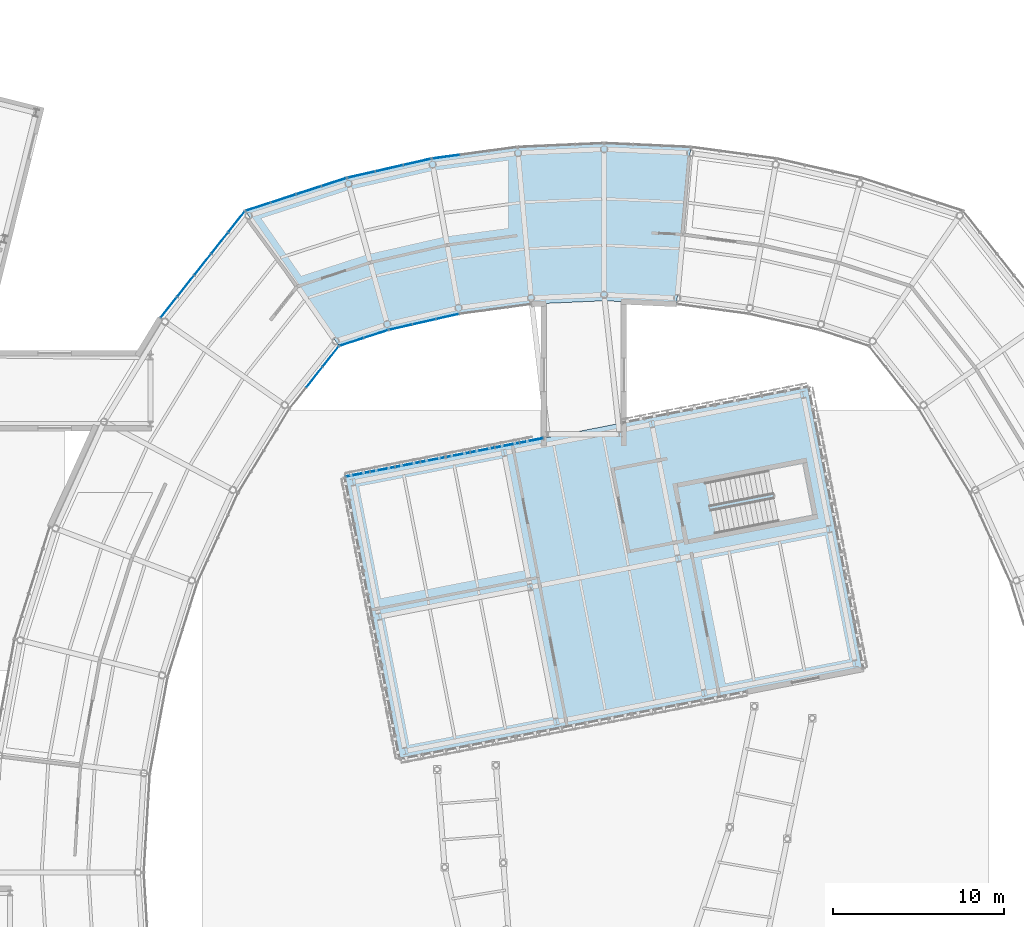
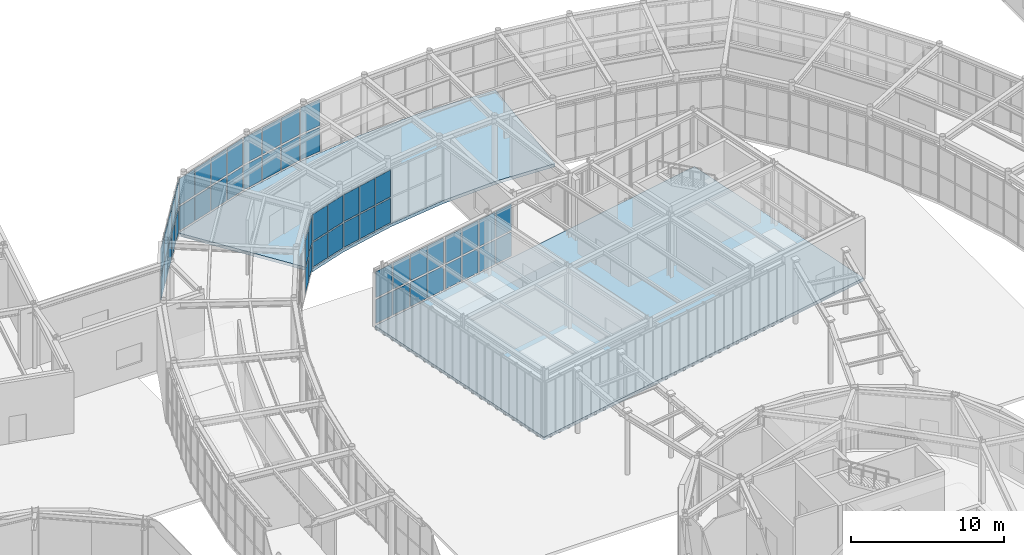
# One storey, part 63 of 97: 56 plates, 2 slabs, 9 elements without a shape of their own.
"""IFC4 building model written with IfcOpenShell, lengths in metres."""

from ifc_helpers import new_model, si_unit, direction, frame, origin, origin_2d, place, context, subcontext, project, spatial, polyline, rectangle, outline, extrude, material, layer, layer_set, type_object, element, aggregate, save


model = new_model("IFC4")

# Units and contexts
model_context = context("Model", 3, precision=1e-05, world=origin(), true_north=direction((0.0, 1.0)))
body_context = subcontext(model_context, "Body", "Model", "MODEL_VIEW")
ifc_project = project(units=[si_unit("LENGTHUNIT", "METRE"), si_unit("AREAUNIT", "SQUARE_METRE"), si_unit("VOLUMEUNIT", "CUBIC_METRE"), si_unit("PLANEANGLEUNIT", "RADIAN"), si_unit("MASSUNIT", "GRAM", prefix="KILO")], contexts=[model_context])

# Site, building, storey
site_placement = place(None, origin())
site = spatial("IfcSite", under=ifc_project, at=site_placement, CompositionType="ELEMENT")
building_placement = place(site_placement, origin())
building = spatial("IfcBuilding", under=site, at=building_placement, Name="Varnklinge Art Gallery", CompositionType="ELEMENT")
storey_placement = place(building_placement, origin())
storey = spatial("IfcBuildingStorey", under=building, at=storey_placement, Name="L00", CompositionType="ELEMENT", Elevation=0.0)

# Curtain wall, plates
ifc_material_1 = material(Name="Anodised Aluminium", Category="aluminium")
curtain_wall_type_1 = type_object("IfcCurtainWallType", Name="CW-R03", PredefinedType="USERDEFINED", material=ifc_material_1)
curtain_wall_1_placement = place(storey_placement, origin())
curtain_wall_1 = element("IfcCurtainWall", 1, at=curtain_wall_1_placement, inside=storey, type_object=curtain_wall_type_1, Name="L00 Curtain Wall CW-V2I-L00-19", ObjectType="UNITISED CURTAIN WALL", PredefinedType="USERDEFINED")
ifc_material_2 = material(Name="Insulated Low-E Triple Glazing", Category="glass")
ifc_layer_1 = layer(ifc_material_2, 0.031982421875)
ifc_layer_set_1 = layer_set([ifc_layer_1], Name="Insulated Low-E Triple Glazing")
plate_type_1 = type_object("IfcPlateType", Name="GLZ-32", PredefinedType="CURTAIN_PANEL", material=ifc_layer_set_1)
plate_1_placement = place(storey_placement, frame((63.62548828125, 86.856201171875, 0.1181640625), z_axis=(0.0, 0.0, 1.0), x_axis=(0.975071959883, 0.221888875454, 0.0)))
plate_1 = element("IfcPlate", 2, at=plate_1_placement, type_object=plate_type_1, Name="CW-V2I-L00-19 Glazing Panel 1.1", PredefinedType="CURTAIN_PANEL", context=body_context, shape_type="SweptSolid", body=[
    extrude(rectangle(XDim=1.328125, YDim=0.031982421875, at=origin_2d()), origin(), (0.0, 0.0, 1.0), 1.950439453125),
])
plate_2_placement = place(storey_placement, frame((63.62548828125, 86.856201171875, 2.1845703125), z_axis=(0.0, 0.0, 1.0), x_axis=(0.975071959883, 0.221888875454, 0.0)))
plate_2 = element("IfcPlate", 3, at=plate_2_placement, type_object=plate_type_1, Name="CW-V2I-L00-19 Glazing Panel 1.2", PredefinedType="CURTAIN_PANEL", context=body_context, shape_type="SweptSolid", body=[
    extrude(rectangle(XDim=1.328125, YDim=0.031982421875, at=origin_2d()), origin(), (0.0, 0.0, 1.0), 2.127685546875),
])
plate_3_placement = place(storey_placement, frame((64.989501953125, 87.16650390625, 0.1181640625), z_axis=(0.0, 0.0, 1.0), x_axis=(0.975071959883, 0.221888875454, 0.0)))
plate_3 = element("IfcPlate", 4, at=plate_3_placement, type_object=plate_type_1, Name="CW-V2I-L00-19 Glazing Panel 2.1", PredefinedType="CURTAIN_PANEL", context=body_context, shape_type="SweptSolid", body=[
    extrude(rectangle(XDim=1.358154296875, YDim=0.031982421875, at=origin_2d()), origin(), (0.0, 0.0, 1.0), 1.950439453125),
])
plate_4_placement = place(storey_placement, frame((64.989501953125, 87.16650390625, 2.1845703125), z_axis=(0.0, 0.0, 1.0), x_axis=(0.975071959883, 0.221888875454, 0.0)))
plate_4 = element("IfcPlate", 5, at=plate_4_placement, type_object=plate_type_1, Name="CW-V2I-L00-19 Glazing Panel 2.2", PredefinedType="CURTAIN_PANEL", context=body_context, shape_type="SweptSolid", body=[
    extrude(rectangle(XDim=1.358154296875, YDim=0.031982421875, at=origin_2d()), origin(), (0.0, 0.0, 1.0), 2.127685546875),
])
plate_5_placement = place(storey_placement, frame((66.35400390625, 87.47705078125, 0.1181640625), z_axis=(0.0, 0.0, 1.0), x_axis=(0.975071959883, 0.221888875454, 0.0)))
plate_5 = element("IfcPlate", 6, at=plate_5_placement, type_object=plate_type_1, Name="CW-V2I-L00-19 Glazing Panel 3.1", PredefinedType="CURTAIN_PANEL", context=body_context, shape_type="SweptSolid", body=[
    extrude(rectangle(XDim=1.328125, YDim=0.031982421875, at=origin_2d()), origin(), (0.0, 0.0, 1.0), 1.950439453125),
])
plate_6_placement = place(storey_placement, frame((66.35400390625, 87.47705078125, 2.1845703125), z_axis=(0.0, 0.0, 1.0), x_axis=(0.975071959883, 0.221888875454, 0.0)))
plate_6 = element("IfcPlate", 7, at=plate_6_placement, type_object=plate_type_1, Name="CW-V2I-L00-19 Glazing Panel 3.2", PredefinedType="CURTAIN_PANEL", context=body_context, shape_type="SweptSolid", body=[
    extrude(rectangle(XDim=1.328125, YDim=0.031982421875, at=origin_2d()), origin(), (0.0, 0.0, 1.0), 2.127685546875),
])
aggregate(curtain_wall_1, [plate_1, plate_2, plate_3, plate_4, plate_5, plate_6])

curtain_wall_2_placement = place(storey_placement, origin())
curtain_wall_2 = element("IfcCurtainWall", 8, at=curtain_wall_2_placement, inside=storey, type_object=curtain_wall_type_1, Name="L00 Curtain Wall CW-V2I-L00-20", ObjectType="UNITISED CURTAIN WALL", PredefinedType="USERDEFINED")
plate_7_placement = place(storey_placement, frame((60.755126953125, 85.993896484375, 0.1181640625), z_axis=(0.0, 0.0, 1.0), x_axis=(0.951272019071, 0.30835295642, 0.0)))
plate_7 = element("IfcPlate", 9, at=plate_7_placement, type_object=plate_type_1, Name="CW-V2I-L00-20 Glazing Panel 1.1", PredefinedType="CURTAIN_PANEL", context=body_context, shape_type="SweptSolid", body=[
    extrude(rectangle(XDim=1.442138671875, YDim=0.031982421875, at=origin_2d()), origin(), (0.0, 0.0, 1.0), 1.950439453125),
])
plate_8_placement = place(storey_placement, frame((60.755126953125, 85.993896484375, 2.1845703125), z_axis=(0.0, 0.0, 1.0), x_axis=(0.951272019071, 0.30835295642, 0.0)))
plate_8 = element("IfcPlate", 10, at=plate_8_placement, type_object=plate_type_1, Name="CW-V2I-L00-20 Glazing Panel 1.2", PredefinedType="CURTAIN_PANEL", context=body_context, shape_type="SweptSolid", body=[
    extrude(rectangle(XDim=1.442138671875, YDim=0.031982421875, at=origin_2d()), origin(), (0.0, 0.0, 1.0), 2.127685546875),
])
plate_9_placement = place(storey_placement, frame((62.180419921875, 86.45556640625, 0.1181640625), z_axis=(0.0, 0.0, 1.0), x_axis=(0.951272019071, 0.30835295642, 0.0)))
plate_9 = element("IfcPlate", 11, at=plate_9_placement, type_object=plate_type_1, Name="CW-V2I-L00-20 Glazing Panel 2.1", PredefinedType="CURTAIN_PANEL", context=body_context, shape_type="SweptSolid", body=[
    extrude(rectangle(XDim=1.442138671875, YDim=0.031982421875, at=origin_2d()), origin(), (0.0, 0.0, 1.0), 1.950439453125),
])
plate_10_placement = place(storey_placement, frame((62.180419921875, 86.45556640625, 2.1845703125), z_axis=(0.0, 0.0, 1.0), x_axis=(0.951272019071, 0.30835295642, 0.0)))
plate_10 = element("IfcPlate", 12, at=plate_10_placement, type_object=plate_type_1, Name="CW-V2I-L00-20 Glazing Panel 2.2", PredefinedType="CURTAIN_PANEL", context=body_context, shape_type="SweptSolid", body=[
    extrude(rectangle(XDim=1.442138671875, YDim=0.031982421875, at=origin_2d()), origin(), (0.0, 0.0, 1.0), 2.127685546875),
])
aggregate(curtain_wall_2, [plate_7, plate_8, plate_9, plate_10])

curtain_wall_3_placement = place(storey_placement, origin())
curtain_wall_3 = element("IfcCurtainWall", 13, at=curtain_wall_3_placement, inside=storey, type_object=curtain_wall_type_1, Name="L00 Curtain Wall CW-V2I-L00-21", ObjectType="UNITISED CURTAIN WALL", PredefinedType="USERDEFINED")
plate_11_placement = place(storey_placement, frame((58.569091796875, 83.9287109375, 0.1181640625), z_axis=(0.0, 0.0, 1.0), x_axis=(0.620737354217, 0.784018582101, 0.0)))
plate_11 = element("IfcPlate", 14, at=plate_11_placement, type_object=plate_type_1, Name="CW-V2I-L00-21 Glazing Panel 2.1", PredefinedType="CURTAIN_PANEL", context=body_context, shape_type="SweptSolid", body=[
    extrude(rectangle(XDim=1.495849609375, YDim=0.031982421875, at=origin_2d()), origin(), (0.0, 0.0, 1.0), 1.950439453125),
])
plate_12_placement = place(storey_placement, frame((58.569091796875, 83.9287109375, 2.1845703125), z_axis=(0.0, 0.0, 1.0), x_axis=(0.620737354217, 0.784018582101, 0.0)))
plate_12 = element("IfcPlate", 15, at=plate_12_placement, type_object=plate_type_1, Name="CW-V2I-L00-21 Glazing Panel 2.2", PredefinedType="CURTAIN_PANEL", context=body_context, shape_type="SweptSolid", body=[
    extrude(rectangle(XDim=1.495849609375, YDim=0.031982421875, at=origin_2d()), origin(), (0.0, 0.0, 1.0), 2.127685546875),
])
plate_13_placement = place(storey_placement, frame((59.52294921875, 85.133544921875, 0.1181640625), z_axis=(0.0, 0.0, 1.0), x_axis=(0.620737354217, 0.784018582101, 0.0)))
plate_13 = element("IfcPlate", 16, at=plate_13_placement, type_object=plate_type_1, Name="CW-V2I-L00-21 Glazing Panel 3.1", PredefinedType="CURTAIN_PANEL", context=body_context, shape_type="SweptSolid", body=[
    extrude(rectangle(XDim=1.4658203125, YDim=0.031982421875, at=origin_2d()), origin(), (0.0, 0.0, 1.0), 1.950439453125),
])
plate_14_placement = place(storey_placement, frame((59.52294921875, 85.133544921875, 2.1845703125), z_axis=(0.0, 0.0, 1.0), x_axis=(0.620737354217, 0.784018582101, 0.0)))
plate_14 = element("IfcPlate", 17, at=plate_14_placement, type_object=plate_type_1, Name="CW-V2I-L00-21 Glazing Panel 3.2", PredefinedType="CURTAIN_PANEL", context=body_context, shape_type="SweptSolid", body=[
    extrude(rectangle(XDim=1.4658203125, YDim=0.031982421875, at=origin_2d()), origin(), (0.0, 0.0, 1.0), 2.127685546875),
])
aggregate(curtain_wall_3, [plate_11, plate_12, plate_13, plate_14])

curtain_wall_4_placement = place(storey_placement, origin())
curtain_wall_4 = element("IfcCurtainWall", 18, at=curtain_wall_4_placement, inside=storey, type_object=curtain_wall_type_1, Name="L00 Curtain Wall CW-V2O-L00-18", ObjectType="UNITISED CURTAIN WALL", PredefinedType="USERDEFINED")
ifc_material_3 = material(Name="Insulated Low-E Triple Glazing", Category="glass")
ifc_layer_2 = layer(ifc_material_3, 0.0380859375)
ifc_layer_set_2 = layer_set([ifc_layer_2], Name="Insulated Low-E Triple Glazing")
plate_type_2 = type_object("IfcPlateType", Name="GLZ-38", PredefinedType="CURTAIN_PANEL", material=ifc_layer_set_2)
plate_15_placement = place(storey_placement, frame((66.2705078125, 96.814697265625, 0.14794921875), z_axis=(0.0, 0.0, 1.0), x_axis=(-0.990983199715, -0.133986185418, 0.0)))
plate_15 = element("IfcPlate", 19, at=plate_15_placement, type_object=plate_type_2, Name="CW-V2O-L00-18 Glazing Panel 3.1", PredefinedType="CURTAIN_PANEL", context=body_context, shape_type="SweptSolid", body=[
    extrude(rectangle(XDim=1.59521484375, YDim=0.0380859375, at=origin_2d()), origin(), (0.0, 0.0, 1.0), 1.905517578125),
])
plate_16_placement = place(storey_placement, frame((66.2705078125, 96.814697265625, 2.199462890625), z_axis=(0.0, 0.0, 1.0), x_axis=(-0.990983199715, -0.133986185418, 0.0)))
plate_16 = element("IfcPlate", 20, at=plate_16_placement, type_object=plate_type_2, Name="CW-V2O-L00-18 Glazing Panel 3.2", PredefinedType="CURTAIN_PANEL", context=body_context, shape_type="SweptSolid", body=[
    extrude(rectangle(XDim=1.59521484375, YDim=0.0380859375, at=origin_2d()), origin(), (0.0, 0.0, 1.0), 2.08251953125),
])
aggregate(curtain_wall_4, [plate_15, plate_16])

curtain_wall_5_placement = place(storey_placement, origin())
curtain_wall_5 = element("IfcCurtainWall", 21, at=curtain_wall_5_placement, inside=storey, type_object=curtain_wall_type_1, Name="L00 Curtain Wall CW-V2O-L00-19", ObjectType="UNITISED CURTAIN WALL", PredefinedType="USERDEFINED")
plate_17_placement = place(storey_placement, frame((64.578369140625, 96.50830078125, 0.14794921875), z_axis=(0.0, 0.0, 1.0), x_axis=(-0.975071959883, -0.221888875454, 0.0)))
plate_17 = element("IfcPlate", 22, at=plate_17_placement, type_object=plate_type_2, Name="CW-V2O-L00-19 Glazing Panel 1.1", PredefinedType="CURTAIN_PANEL", context=body_context, shape_type="SweptSolid", body=[
    extrude(rectangle(XDim=1.59521484375, YDim=0.0380859375, at=origin_2d()), origin(), (0.0, 0.0, 1.0), 1.905517578125),
])
plate_18_placement = place(storey_placement, frame((64.578369140625, 96.50830078125, 2.199462890625), z_axis=(0.0, 0.0, 1.0), x_axis=(-0.975071959883, -0.221888875454, 0.0)))
plate_18 = element("IfcPlate", 23, at=plate_18_placement, type_object=plate_type_2, Name="CW-V2O-L00-19 Glazing Panel 1.2", PredefinedType="CURTAIN_PANEL", context=body_context, shape_type="SweptSolid", body=[
    extrude(rectangle(XDim=1.59521484375, YDim=0.0380859375, at=origin_2d()), origin(), (0.0, 0.0, 1.0), 2.08251953125),
])
plate_19_placement = place(storey_placement, frame((62.947509765625, 96.13720703125, 0.14794921875), z_axis=(0.0, 0.0, 1.0), x_axis=(-0.975071959883, -0.221888875454, 0.0)))
plate_19 = element("IfcPlate", 24, at=plate_19_placement, type_object=plate_type_2, Name="CW-V2O-L00-19 Glazing Panel 2.1", PredefinedType="CURTAIN_PANEL", context=body_context, shape_type="SweptSolid", body=[
    extrude(rectangle(XDim=1.627685546875, YDim=0.0380859375, at=origin_2d()), origin(), (0.0, 0.0, 1.0), 1.905517578125),
])
plate_20_placement = place(storey_placement, frame((62.947509765625, 96.13720703125, 2.199462890625), z_axis=(0.0, 0.0, 1.0), x_axis=(-0.975071959883, -0.221888875454, 0.0)))
plate_20 = element("IfcPlate", 25, at=plate_20_placement, type_object=plate_type_2, Name="CW-V2O-L00-19 Glazing Panel 2.2", PredefinedType="CURTAIN_PANEL", context=body_context, shape_type="SweptSolid", body=[
    extrude(rectangle(XDim=1.627685546875, YDim=0.0380859375, at=origin_2d()), origin(), (0.0, 0.0, 1.0), 2.08251953125),
])
plate_21_placement = place(storey_placement, frame((61.316650390625, 95.765869140625, 0.14794921875), z_axis=(0.0, 0.0, 1.0), x_axis=(-0.975071959883, -0.221888875454, 0.0)))
plate_21 = element("IfcPlate", 26, at=plate_21_placement, type_object=plate_type_2, Name="CW-V2O-L00-19 Glazing Panel 3.1", PredefinedType="CURTAIN_PANEL", context=body_context, shape_type="SweptSolid", body=[
    extrude(rectangle(XDim=1.59521484375, YDim=0.0380859375, at=origin_2d()), origin(), (0.0, 0.0, 1.0), 1.905517578125),
])
plate_22_placement = place(storey_placement, frame((61.316650390625, 95.765869140625, 2.199462890625), z_axis=(0.0, 0.0, 1.0), x_axis=(-0.975071959883, -0.221888875454, 0.0)))
plate_22 = element("IfcPlate", 27, at=plate_22_placement, type_object=plate_type_2, Name="CW-V2O-L00-19 Glazing Panel 3.2", PredefinedType="CURTAIN_PANEL", context=body_context, shape_type="SweptSolid", body=[
    extrude(rectangle(XDim=1.59521484375, YDim=0.0380859375, at=origin_2d()), origin(), (0.0, 0.0, 1.0), 2.08251953125),
])
aggregate(curtain_wall_5, [plate_17, plate_18, plate_19, plate_20, plate_21, plate_22])

ifc_material_4 = material(Name="Anodised Aluminium", Category="aluminium")
curtain_wall_type_2 = type_object("IfcCurtainWallType", Name="CW-R01", PredefinedType="USERDEFINED", material=ifc_material_4)
curtain_wall_6_placement = place(storey_placement, origin())
curtain_wall_6 = element("IfcCurtainWall", 28, at=curtain_wall_6_placement, inside=storey, type_object=curtain_wall_type_2, Name="L00 Curtain Wall CW-V2O-L00-20", ObjectType="UNITISED CURTAIN WALL", PredefinedType="USERDEFINED")
plate_23_placement = place(storey_placement, frame((59.718505859375, 95.328857421875, 0.14794921875), z_axis=(0.0, 0.0, 1.0), x_axis=(-0.951272019071, -0.30835295642, 0.0)))
plate_23 = element("IfcPlate", 29, at=plate_23_placement, type_object=plate_type_2, Name="CW-V2O-L00-20 Glazing Panel 1.1", PredefinedType="CURTAIN_PANEL", context=body_context, shape_type="SweptSolid", body=[
    extrude(rectangle(XDim=1.469482421875, YDim=0.0380859375, at=origin_2d()), origin(), (0.0, 0.0, 1.0), 1.905517578125),
])
plate_24_placement = place(storey_placement, frame((59.718505859375, 95.328857421875, 2.199462890625), z_axis=(0.0, 0.0, 1.0), x_axis=(-0.951272019071, -0.30835295642, 0.0)))
plate_24 = element("IfcPlate", 30, at=plate_24_placement, type_object=plate_type_2, Name="CW-V2O-L00-20 Glazing Panel 1.2", PredefinedType="CURTAIN_PANEL", context=body_context, shape_type="SweptSolid", body=[
    extrude(rectangle(XDim=1.469482421875, YDim=0.0380859375, at=origin_2d()), origin(), (0.0, 0.0, 1.0), 2.08251953125),
])
plate_25_placement = place(storey_placement, frame((58.246826171875, 94.85205078125, 0.14794921875), z_axis=(0.0, 0.0, 1.0), x_axis=(-0.951272019071, -0.30835295642, 0.0)))
plate_25 = element("IfcPlate", 31, at=plate_25_placement, type_object=plate_type_2, Name="CW-V2O-L00-20 Glazing Panel 2.1", PredefinedType="CURTAIN_PANEL", context=body_context, shape_type="SweptSolid", body=[
    extrude(rectangle(XDim=1.502197265625, YDim=0.0380859375, at=origin_2d()), origin(), (0.0, 0.0, 1.0), 1.905517578125),
])
plate_26_placement = place(storey_placement, frame((58.246826171875, 94.85205078125, 2.199462890625), z_axis=(0.0, 0.0, 1.0), x_axis=(-0.951272019071, -0.30835295642, 0.0)))
plate_26 = element("IfcPlate", 32, at=plate_26_placement, type_object=plate_type_2, Name="CW-V2O-L00-20 Glazing Panel 2.2", PredefinedType="CURTAIN_PANEL", context=body_context, shape_type="SweptSolid", body=[
    extrude(rectangle(XDim=1.502197265625, YDim=0.0380859375, at=origin_2d()), origin(), (0.0, 0.0, 1.0), 2.08251953125),
])
plate_27_placement = place(storey_placement, frame((56.760009765625, 94.3701171875, 0.14794921875), z_axis=(0.0, 0.0, 1.0), x_axis=(-0.951272019071, -0.30835295642, 0.0)))
plate_27 = element("IfcPlate", 33, at=plate_27_placement, type_object=plate_type_2, Name="CW-V2O-L00-20 Glazing Panel 3.1", PredefinedType="CURTAIN_PANEL", context=body_context, shape_type="SweptSolid", body=[
    extrude(rectangle(XDim=1.502197265625, YDim=0.0380859375, at=origin_2d()), origin(), (0.0, 0.0, 1.0), 1.905517578125),
])
plate_28_placement = place(storey_placement, frame((56.760009765625, 94.3701171875, 2.199462890625), z_axis=(0.0, 0.0, 1.0), x_axis=(-0.951272019071, -0.30835295642, 0.0)))
plate_28 = element("IfcPlate", 34, at=plate_28_placement, type_object=plate_type_2, Name="CW-V2O-L00-20 Glazing Panel 3.2", PredefinedType="CURTAIN_PANEL", context=body_context, shape_type="SweptSolid", body=[
    extrude(rectangle(XDim=1.502197265625, YDim=0.0380859375, at=origin_2d()), origin(), (0.0, 0.0, 1.0), 2.08251953125),
])
plate_29_placement = place(storey_placement, frame((55.288330078125, 93.893310546875, 0.14794921875), z_axis=(0.0, 0.0, 1.0), x_axis=(-0.951272019071, -0.30835295642, 0.0)))
plate_29 = element("IfcPlate", 35, at=plate_29_placement, type_object=plate_type_2, Name="CW-V2O-L00-20 Glazing Panel 4.1", PredefinedType="CURTAIN_PANEL", context=body_context, shape_type="SweptSolid", body=[
    extrude(rectangle(XDim=1.469482421875, YDim=0.0380859375, at=origin_2d()), origin(), (0.0, 0.0, 1.0), 1.905517578125),
])
plate_30_placement = place(storey_placement, frame((55.288330078125, 93.893310546875, 2.199462890625), z_axis=(0.0, 0.0, 1.0), x_axis=(-0.951272019071, -0.30835295642, 0.0)))
plate_30 = element("IfcPlate", 36, at=plate_30_placement, type_object=plate_type_2, Name="CW-V2O-L00-20 Glazing Panel 4.2", PredefinedType="CURTAIN_PANEL", context=body_context, shape_type="SweptSolid", body=[
    extrude(rectangle(XDim=1.469482421875, YDim=0.0380859375, at=origin_2d()), origin(), (0.0, 0.0, 1.0), 2.08251953125),
])
aggregate(curtain_wall_6, [plate_23, plate_24, plate_25, plate_26, plate_27, plate_28, plate_29, plate_30])

curtain_wall_7_placement = place(storey_placement, origin())
curtain_wall_7 = element("IfcCurtainWall", 37, at=curtain_wall_7_placement, inside=storey, type_object=curtain_wall_type_2, Name="L00 Curtain Wall CW-V2O-L00-21", ObjectType="UNITISED CURTAIN WALL", PredefinedType="USERDEFINED")
plate_31_placement = place(storey_placement, frame((54.022705078125, 93.007080078125, 0.14794921875), z_axis=(0.0, 0.0, 1.0), x_axis=(-0.620737354217, -0.784018582101, 0.0)))
plate_31 = element("IfcPlate", 38, at=plate_31_placement, type_object=plate_type_2, Name="CW-V2O-L00-21 Glazing Panel 1.1", PredefinedType="CURTAIN_PANEL", context=body_context, shape_type="SweptSolid", body=[
    extrude(rectangle(XDim=1.506591796875, YDim=0.0380859375, at=origin_2d()), origin(), (0.0, 0.0, 1.0), 1.905517578125),
])
plate_32_placement = place(storey_placement, frame((54.022705078125, 93.007080078125, 2.199462890625), z_axis=(0.0, 0.0, 1.0), x_axis=(-0.620737354217, -0.784018582101, 0.0)))
plate_32 = element("IfcPlate", 39, at=plate_32_placement, type_object=plate_type_2, Name="CW-V2O-L00-21 Glazing Panel 1.2", PredefinedType="CURTAIN_PANEL", context=body_context, shape_type="SweptSolid", body=[
    extrude(rectangle(XDim=1.506591796875, YDim=0.0380859375, at=origin_2d()), origin(), (0.0, 0.0, 1.0), 2.08251953125),
])
plate_33_placement = place(storey_placement, frame((53.03955078125, 91.765380859375, 0.14794921875), z_axis=(0.0, 0.0, 1.0), x_axis=(-0.620737354217, -0.784018582101, 0.0)))
plate_33 = element("IfcPlate", 40, at=plate_33_placement, type_object=plate_type_2, Name="CW-V2O-L00-21 Glazing Panel 2.1", PredefinedType="CURTAIN_PANEL", context=body_context, shape_type="SweptSolid", body=[
    extrude(rectangle(XDim=1.5390625, YDim=0.0380859375, at=origin_2d()), origin(), (0.0, 0.0, 1.0), 1.905517578125),
])
plate_34_placement = place(storey_placement, frame((53.03955078125, 91.765380859375, 2.199462890625), z_axis=(0.0, 0.0, 1.0), x_axis=(-0.620737354217, -0.784018582101, 0.0)))
plate_34 = element("IfcPlate", 41, at=plate_34_placement, type_object=plate_type_2, Name="CW-V2O-L00-21 Glazing Panel 2.2", PredefinedType="CURTAIN_PANEL", context=body_context, shape_type="SweptSolid", body=[
    extrude(rectangle(XDim=1.5390625, YDim=0.0380859375, at=origin_2d()), origin(), (0.0, 0.0, 1.0), 2.08251953125),
])
plate_35_placement = place(storey_placement, frame((52.046142578125, 90.510986328125, 0.14794921875), z_axis=(0.0, 0.0, 1.0), x_axis=(-0.620737354217, -0.784018582101, 0.0)))
plate_35 = element("IfcPlate", 42, at=plate_35_placement, type_object=plate_type_2, Name="CW-V2O-L00-21 Glazing Panel 3.1", PredefinedType="CURTAIN_PANEL", context=body_context, shape_type="SweptSolid", body=[
    extrude(rectangle(XDim=1.5390625, YDim=0.0380859375, at=origin_2d()), origin(), (0.0, 0.0, 1.0), 1.905517578125),
])
plate_36_placement = place(storey_placement, frame((52.046142578125, 90.510986328125, 2.199462890625), z_axis=(0.0, 0.0, 1.0), x_axis=(-0.620737354217, -0.784018582101, 0.0)))
plate_36 = element("IfcPlate", 43, at=plate_36_placement, type_object=plate_type_2, Name="CW-V2O-L00-21 Glazing Panel 3.2", PredefinedType="CURTAIN_PANEL", context=body_context, shape_type="SweptSolid", body=[
    extrude(rectangle(XDim=1.5390625, YDim=0.0380859375, at=origin_2d()), origin(), (0.0, 0.0, 1.0), 2.08251953125),
])
plate_37_placement = place(storey_placement, frame((51.052978515625, 89.256591796875, 0.14794921875), z_axis=(0.0, 0.0, 1.0), x_axis=(-0.620737354217, -0.784018582101, 0.0)))
plate_37 = element("IfcPlate", 44, at=plate_37_placement, type_object=plate_type_2, Name="CW-V2O-L00-21 Glazing Panel 4.1", PredefinedType="CURTAIN_PANEL", context=body_context, shape_type="SweptSolid", body=[
    extrude(rectangle(XDim=1.5390625, YDim=0.0380859375, at=origin_2d()), origin(), (0.0, 0.0, 1.0), 1.905517578125),
])
plate_38_placement = place(storey_placement, frame((51.052978515625, 89.256591796875, 2.199462890625), z_axis=(0.0, 0.0, 1.0), x_axis=(-0.620737354217, -0.784018582101, 0.0)))
plate_38 = element("IfcPlate", 45, at=plate_38_placement, type_object=plate_type_2, Name="CW-V2O-L00-21 Glazing Panel 4.2", PredefinedType="CURTAIN_PANEL", context=body_context, shape_type="SweptSolid", body=[
    extrude(rectangle(XDim=1.5390625, YDim=0.0380859375, at=origin_2d()), origin(), (0.0, 0.0, 1.0), 2.08251953125),
])
plate_39_placement = place(storey_placement, frame((50.069580078125, 88.014892578125, 0.14794921875), z_axis=(0.0, 0.0, 1.0), x_axis=(-0.620737354217, -0.784018582101, 0.0)))
plate_39 = element("IfcPlate", 46, at=plate_39_placement, type_object=plate_type_2, Name="CW-V2O-L00-21 Glazing Panel 5.1", PredefinedType="CURTAIN_PANEL", context=body_context, shape_type="SweptSolid", body=[
    extrude(rectangle(XDim=1.506591796875, YDim=0.0380859375, at=origin_2d()), origin(), (0.0, 0.0, 1.0), 1.905517578125),
])
plate_40_placement = place(storey_placement, frame((50.069580078125, 88.014892578125, 2.199462890625), z_axis=(0.0, 0.0, 1.0), x_axis=(-0.620737354217, -0.784018582101, 0.0)))
plate_40 = element("IfcPlate", 47, at=plate_40_placement, type_object=plate_type_2, Name="CW-V2O-L00-21 Glazing Panel 5.2", PredefinedType="CURTAIN_PANEL", context=body_context, shape_type="SweptSolid", body=[
    extrude(rectangle(XDim=1.506591796875, YDim=0.0380859375, at=origin_2d()), origin(), (0.0, 0.0, 1.0), 2.08251953125),
])
aggregate(curtain_wall_7, [plate_31, plate_32, plate_33, plate_34, plate_35, plate_36, plate_37, plate_38, plate_39, plate_40])

ifc_material_5 = material(Name="Anodised Aluminium", Category="aluminium")
curtain_wall_type_3 = type_object("IfcCurtainWallType", Name="CW-L01", PredefinedType="USERDEFINED", material=ifc_material_5)
curtain_wall_8_placement = place(storey_placement, origin())
curtain_wall_8 = element("IfcCurtainWall", 48, at=curtain_wall_8_placement, inside=storey, type_object=curtain_wall_type_3, Name="L00 Curtain Wall CW-V4B-L00-3-2-1", ObjectType="UNITISED CURTAIN WALL", PredefinedType="USERDEFINED")
ifc_material_6 = material(Name="Insulated Low-E Triple Glazing", Category="glass")
ifc_layer_3 = layer(ifc_material_6, 0.0439453125)
ifc_layer_set_3 = layer_set([ifc_layer_3], Name="Insulated Low-E Triple Glazing")
plate_type_3 = type_object("IfcPlateType", Name="GLZ-44", PredefinedType="CURTAIN_PANEL", material=ifc_layer_set_3)
plate_41_placement = place(storey_placement, frame((71.260986328125, 80.2333984375, 0.14794921875), z_axis=(0.0, 0.0, 1.0), x_axis=(-0.981627183448, -0.190808995377, 0.0)))
plate_41 = element("IfcPlate", 49, at=plate_41_placement, type_object=plate_type_3, Name="CW-V4B-L00-3-2-1 Glazing Panel 1.1", PredefinedType="CURTAIN_PANEL", context=body_context, shape_type="SweptSolid", body=[
    extrude(rectangle(XDim=1.359619140625, YDim=0.0439453125, at=origin_2d()), origin(), (0.0, 0.0, 1.0), 1.905517578125),
])
plate_42_placement = place(storey_placement, frame((71.260986328125, 80.2333984375, 2.199462890625), z_axis=(0.0, 0.0, 1.0), x_axis=(-0.981627183448, -0.190808995377, 0.0)))
plate_42 = element("IfcPlate", 50, at=plate_42_placement, type_object=plate_type_3, Name="CW-V4B-L00-3-2-1 Glazing Panel 1.2", PredefinedType="CURTAIN_PANEL", context=body_context, shape_type="SweptSolid", body=[
    extrude(rectangle(XDim=1.359619140625, YDim=0.0439453125, at=origin_2d()), origin(), (0.0, 0.0, 1.0), 2.08251953125),
])
plate_43_placement = place(storey_placement, frame((69.838134765625, 79.956787109375, 0.14794921875), z_axis=(0.0, 0.0, 1.0), x_axis=(-0.981627183448, -0.190808995377, 0.0)))
plate_43 = element("IfcPlate", 51, at=plate_43_placement, type_object=plate_type_3, Name="CW-V4B-L00-3-2-1 Glazing Panel 2.1", PredefinedType="CURTAIN_PANEL", context=body_context, shape_type="SweptSolid", body=[
    extrude(rectangle(XDim=1.397216796875, YDim=0.0439453125, at=origin_2d()), origin(), (0.0, 0.0, 1.0), 1.905517578125),
])
plate_44_placement = place(storey_placement, frame((69.838134765625, 79.956787109375, 2.199462890625), z_axis=(0.0, 0.0, 1.0), x_axis=(-0.981627183448, -0.190808995377, 0.0)))
plate_44 = element("IfcPlate", 52, at=plate_44_placement, type_object=plate_type_3, Name="CW-V4B-L00-3-2-1 Glazing Panel 2.2", PredefinedType="CURTAIN_PANEL", context=body_context, shape_type="SweptSolid", body=[
    extrude(rectangle(XDim=1.397216796875, YDim=0.0439453125, at=origin_2d()), origin(), (0.0, 0.0, 1.0), 2.08251953125),
])
plate_45_placement = place(storey_placement, frame((68.397216796875, 79.676513671875, 0.14794921875), z_axis=(0.0, 0.0, 1.0), x_axis=(-0.981627183448, -0.190808995377, 0.0)))
plate_45 = element("IfcPlate", 53, at=plate_45_placement, type_object=plate_type_3, Name="CW-V4B-L00-3-2-1 Glazing Panel 3.1", PredefinedType="CURTAIN_PANEL", context=body_context, shape_type="SweptSolid", body=[
    extrude(rectangle(XDim=1.397216796875, YDim=0.0439453125, at=origin_2d()), origin(), (0.0, 0.0, 1.0), 1.905517578125),
])
plate_46_placement = place(storey_placement, frame((68.397216796875, 79.676513671875, 2.199462890625), z_axis=(0.0, 0.0, 1.0), x_axis=(-0.981627183448, -0.190808995377, 0.0)))
plate_46 = element("IfcPlate", 54, at=plate_46_placement, type_object=plate_type_3, Name="CW-V4B-L00-3-2-1 Glazing Panel 3.2", PredefinedType="CURTAIN_PANEL", context=body_context, shape_type="SweptSolid", body=[
    extrude(rectangle(XDim=1.397216796875, YDim=0.0439453125, at=origin_2d()), origin(), (0.0, 0.0, 1.0), 2.08251953125),
])
plate_47_placement = place(storey_placement, frame((66.974365234375, 79.39990234375, 0.14794921875), z_axis=(0.0, 0.0, 1.0), x_axis=(-0.981627183448, -0.190808995377, 0.0)))
plate_47 = element("IfcPlate", 55, at=plate_47_placement, type_object=plate_type_3, Name="CW-V4B-L00-3-2-1 Glazing Panel 4.1", PredefinedType="CURTAIN_PANEL", context=body_context, shape_type="SweptSolid", body=[
    extrude(rectangle(XDim=1.359619140625, YDim=0.0439453125, at=origin_2d()), origin(), (0.0, 0.0, 1.0), 1.905517578125),
])
plate_48_placement = place(storey_placement, frame((66.974365234375, 79.39990234375, 2.199462890625), z_axis=(0.0, 0.0, 1.0), x_axis=(-0.981627183448, -0.190808995377, 0.0)))
plate_48 = element("IfcPlate", 56, at=plate_48_placement, type_object=plate_type_3, Name="CW-V4B-L00-3-2-1 Glazing Panel 4.2", PredefinedType="CURTAIN_PANEL", context=body_context, shape_type="SweptSolid", body=[
    extrude(rectangle(XDim=1.359619140625, YDim=0.0439453125, at=origin_2d()), origin(), (0.0, 0.0, 1.0), 2.08251953125),
])
aggregate(curtain_wall_8, [plate_41, plate_42, plate_43, plate_44, plate_45, plate_46, plate_47, plate_48])

curtain_wall_9_placement = place(storey_placement, origin())
curtain_wall_9 = element("IfcCurtainWall", 57, at=curtain_wall_9_placement, inside=storey, type_object=curtain_wall_type_3, Name="L00 Curtain Wall CW-V4B-L00-3-2-2", ObjectType="UNITISED CURTAIN WALL", PredefinedType="USERDEFINED")
plate_49_placement = place(storey_placement, frame((65.481201171875, 79.10986328125, 0.14794921875), z_axis=(0.0, 0.0, 1.0), x_axis=(-0.981627183448, -0.190808995377, 0.0)))
plate_49 = element("IfcPlate", 58, at=plate_49_placement, type_object=plate_type_3, Name="CW-V4B-L00-3-2-2 Glazing Panel 1.1", PredefinedType="CURTAIN_PANEL", context=body_context, shape_type="SweptSolid", body=[
    extrude(rectangle(XDim=1.39013671875, YDim=0.0439453125, at=origin_2d()), origin(), (0.0, 0.0, 1.0), 1.905517578125),
])
plate_50_placement = place(storey_placement, frame((65.481201171875, 79.10986328125, 2.199462890625), z_axis=(0.0, 0.0, 1.0), x_axis=(-0.981627183448, -0.190808995377, 0.0)))
plate_50 = element("IfcPlate", 59, at=plate_50_placement, type_object=plate_type_3, Name="CW-V4B-L00-3-2-2 Glazing Panel 1.2", PredefinedType="CURTAIN_PANEL", context=body_context, shape_type="SweptSolid", body=[
    extrude(rectangle(XDim=1.39013671875, YDim=0.0439453125, at=origin_2d()), origin(), (0.0, 0.0, 1.0), 2.08251953125),
])
plate_51_placement = place(storey_placement, frame((64.028564453125, 78.827392578125, 0.14794921875), z_axis=(0.0, 0.0, 1.0), x_axis=(-0.981627183448, -0.190808995377, 0.0)))
plate_51 = element("IfcPlate", 60, at=plate_51_placement, type_object=plate_type_3, Name="CW-V4B-L00-3-2-2 Glazing Panel 2.1", PredefinedType="CURTAIN_PANEL", context=body_context, shape_type="SweptSolid", body=[
    extrude(rectangle(XDim=1.427734375, YDim=0.0439453125, at=origin_2d()), origin(), (0.0, 0.0, 1.0), 1.905517578125),
])
plate_52_placement = place(storey_placement, frame((64.028564453125, 78.827392578125, 2.199462890625), z_axis=(0.0, 0.0, 1.0), x_axis=(-0.981627183448, -0.190808995377, 0.0)))
plate_52 = element("IfcPlate", 61, at=plate_52_placement, type_object=plate_type_3, Name="CW-V4B-L00-3-2-2 Glazing Panel 2.2", PredefinedType="CURTAIN_PANEL", context=body_context, shape_type="SweptSolid", body=[
    extrude(rectangle(XDim=1.427734375, YDim=0.0439453125, at=origin_2d()), origin(), (0.0, 0.0, 1.0), 2.08251953125),
])
plate_53_placement = place(storey_placement, frame((62.557373046875, 78.54150390625, 0.14794921875), z_axis=(0.0, 0.0, 1.0), x_axis=(-0.981627183448, -0.190808995377, 0.0)))
plate_53 = element("IfcPlate", 62, at=plate_53_placement, type_object=plate_type_3, Name="CW-V4B-L00-3-2-2 Glazing Panel 3.1", PredefinedType="CURTAIN_PANEL", context=body_context, shape_type="SweptSolid", body=[
    extrude(rectangle(XDim=1.427734375, YDim=0.0439453125, at=origin_2d()), origin(), (0.0, 0.0, 1.0), 1.905517578125),
])
plate_54_placement = place(storey_placement, frame((62.557373046875, 78.54150390625, 2.199462890625), z_axis=(0.0, 0.0, 1.0), x_axis=(-0.981627183448, -0.190808995377, 0.0)))
plate_54 = element("IfcPlate", 63, at=plate_54_placement, type_object=plate_type_3, Name="CW-V4B-L00-3-2-2 Glazing Panel 3.2", PredefinedType="CURTAIN_PANEL", context=body_context, shape_type="SweptSolid", body=[
    extrude(rectangle(XDim=1.427734375, YDim=0.0439453125, at=origin_2d()), origin(), (0.0, 0.0, 1.0), 2.08251953125),
])
plate_55_placement = place(storey_placement, frame((61.104736328125, 78.259033203125, 0.14794921875), z_axis=(0.0, 0.0, 1.0), x_axis=(-0.981627183448, -0.190808995377, 0.0)))
plate_55 = element("IfcPlate", 64, at=plate_55_placement, type_object=plate_type_3, Name="CW-V4B-L00-3-2-2 Glazing Panel 4.1", PredefinedType="CURTAIN_PANEL", context=body_context, shape_type="SweptSolid", body=[
    extrude(rectangle(XDim=1.39013671875, YDim=0.0439453125, at=origin_2d()), origin(), (0.0, 0.0, 1.0), 1.905517578125),
])
plate_56_placement = place(storey_placement, frame((61.104736328125, 78.259033203125, 2.199462890625), z_axis=(0.0, 0.0, 1.0), x_axis=(-0.981627183448, -0.190808995377, 0.0)))
plate_56 = element("IfcPlate", 65, at=plate_56_placement, type_object=plate_type_3, Name="CW-V4B-L00-3-2-2 Glazing Panel 4.2", PredefinedType="CURTAIN_PANEL", context=body_context, shape_type="SweptSolid", body=[
    extrude(rectangle(XDim=1.39013671875, YDim=0.0439453125, at=origin_2d()), origin(), (0.0, 0.0, 1.0), 2.08251953125),
])
aggregate(curtain_wall_9, [plate_49, plate_50, plate_51, plate_52, plate_53, plate_54, plate_55, plate_56])

# Slabs
ifc_material_7 = material(Name="Concrete C35/45", Category="concrete")
ifc_layer_4 = layer(ifc_material_7, 0.25)
ifc_layer_set_4 = layer_set([ifc_layer_4], Name="Concrete C35/45")
slab_type = type_object("IfcSlabType", Name="SLB-F25", PredefinedType="FLOOR", material=ifc_layer_set_4)
slab_1_placement = place(storey_placement, frame((0.0, 0.0, -0.25)))
element("IfcSlab", 66, at=slab_1_placement, inside=storey, type_object=slab_type, Name="L00 Curved Gallery Ring Sector 4", PredefinedType="FLOOR", context=body_context, shape_type="SweptSolid", body=[
    extrude(outline(polyline([(75.5, 97.6044921875), (70.4384765625, 97.3779296875), (65.41748046875, 96.699462890625), (60.477294921875, 95.57470703125), (54.529296875, 93.647216796875), (60.013916015625, 85.753662109375), (62.92138671875, 86.69580078125), (67.057861328125, 87.637451171875), (71.261962890625, 88.20556640625), (75.5, 88.3955078125), (79.738037109375, 88.20556640625), (80.5615234375, 97.3779296875), (75.5, 97.6044921875)])), origin(), (0.0, 0.0, 1.0), 0.25),
])
slab_2_placement = place(storey_placement, frame((0.0, 0.0, -0.25)))
element("IfcSlab", 67, at=slab_2_placement, inside=storey, type_object=slab_type, Name="L00 Lattice Exhibition Box Floor Slab", PredefinedType="FLOOR", context=body_context, shape_type="SweptSolid", body=[
    extrude(outline(polyline([(90.6494140625, 66.887451171875), (87.443603515625, 83.37890625), (60.3505859375, 78.112548828125), (63.556396484375, 61.62109375), (90.6494140625, 66.887451171875)])), origin(), (0.0, 0.0, 1.0), 0.25),
])

save(model, "model.ifc")
